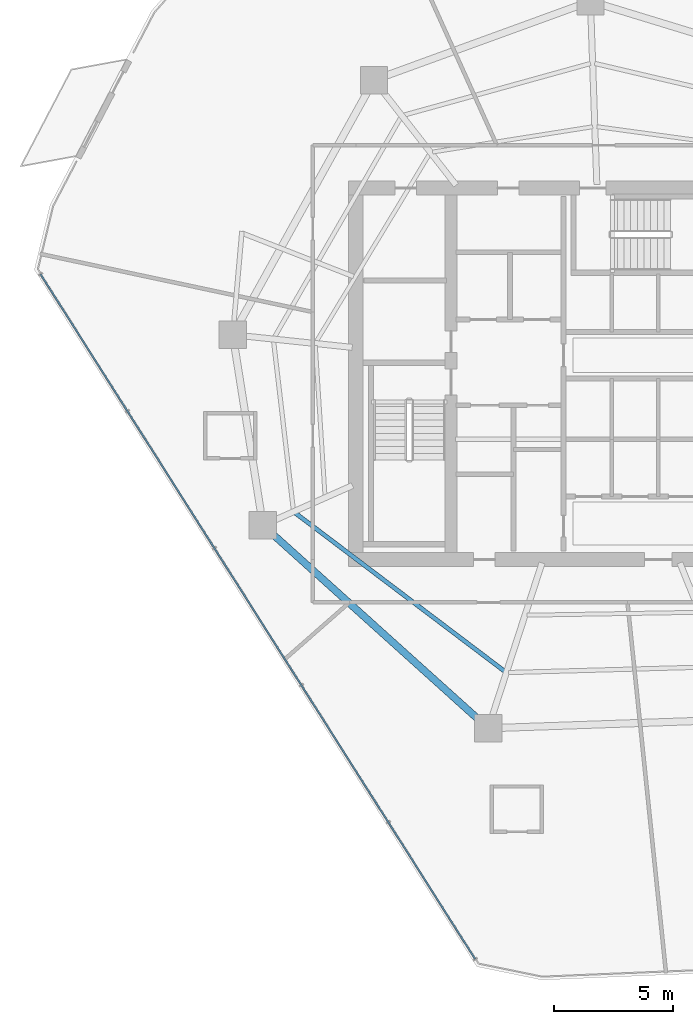
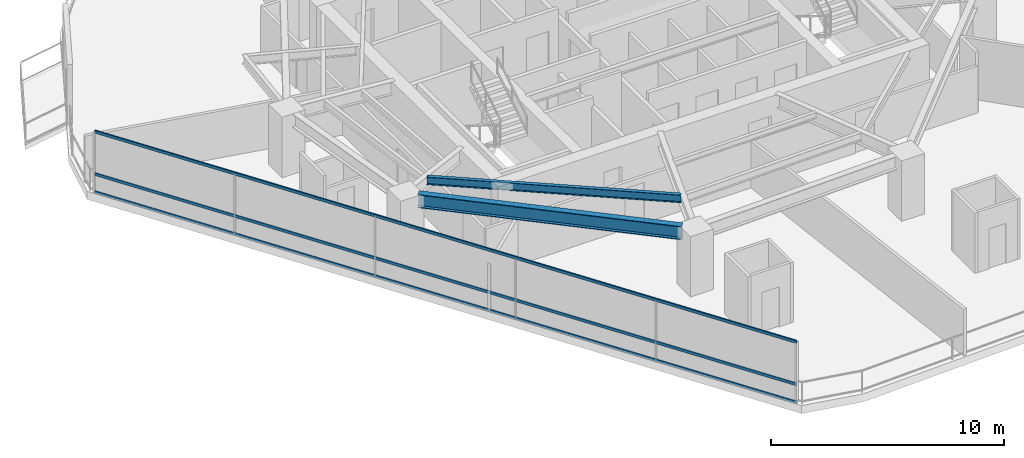
# One storey, part 3 of 25: 3 members, 2 beams, 1 element without a shape of its own.
"""IFC4 building model written with IfcOpenShell, lengths in metres."""

import ifcopenshell
import ifcopenshell.guid

model = None  # the IFC model being written
_history = None  # IfcOwnerHistory: only IFC2X3 demands one
_inside = {}  # id of a spatial element -> (the spatial element, [elements in it])
_under = {}  # id of a project, library or spatial element -> (it, [spatial elements below it])
_declared = {}  # id of a project -> (the project, [libraries it declares])
_typed = {}  # id of a type object -> (the type object, [elements of that type])
_made_of = {}  # id of a material, layer set ... -> (it, [elements and type objects made of it])


def new_model(schema):
    """Start an empty IFC model of exactly this schema.

    Asked for "IFC4X3", IfcOpenShell would pick the latest addendum, in which some entities
    have other attributes; the version numbers below select the first issue.
    IFC2X3 requires an IfcOwnerHistory on every rooted entity: one is made here for all.
    """
    global model, _history
    if schema == "IFC4X3":
        model = ifcopenshell.file(schema_version=(4, 3, 0, 0))
    else:
        model = ifcopenshell.file(schema=schema)
    _inside.clear()
    _under.clear()
    _declared.clear()
    _typed.clear()
    _made_of.clear()
    _history = None
    if model.schema == "IFC2X3":
        org = make("IfcOrganization", Name="unknown")
        user = make(
            "IfcPersonAndOrganization",
            ThePerson=make("IfcPerson", FamilyName="unknown"),
            TheOrganization=org,
        )
        app = make(
            "IfcApplication",
            ApplicationDeveloper=org,
            Version="unknown",
            ApplicationFullName="unknown",
            ApplicationIdentifier="unknown",
        )
        _history = make(
            "IfcOwnerHistory",
            OwningUser=user,
            OwningApplication=app,
            ChangeAction="ADDED",
            CreationDate=0,
        )
    return model


def make(cls, **values):
    """One entity of the class cls with the attributes given. An attribute that is None is left unset."""
    return model.create_entity(
        cls, **{name: value for name, value in values.items() if value is not None}
    )


def rooted(cls, **values):
    """An entity with a GlobalId (a new one), such as an element, a storey or a relation."""
    return make(cls, GlobalId=ifcopenshell.guid.new(), OwnerHistory=_history, **values)


def si_unit(unit_type, name, prefix=None):
    """IfcSIUnit, for example si_unit("LENGTHUNIT", "METRE", prefix="MILLI")."""
    return make("IfcSIUnit", UnitType=unit_type, Prefix=prefix, Name=name)


def assignment(units):
    """IfcUnitAssignment: the units of a project."""
    return None if units is None else make("IfcUnitAssignment", Units=units)


def point(xyz):
    """IfcCartesianPoint."""
    return None if xyz is None else make("IfcCartesianPoint", Coordinates=xyz)


def direction(xyz):
    """IfcDirection."""
    return None if xyz is None else make("IfcDirection", DirectionRatios=xyz)


def frame(location, z_axis=None, x_axis=None):
    """IfcAxis2Placement3D, a coordinate frame: its origin and axes. An axis left out is left unset."""
    return make(
        "IfcAxis2Placement3D",
        Location=point(location),
        Axis=direction(z_axis),
        RefDirection=direction(x_axis),
    )


def frame_2d(location, x_axis=None):
    """IfcAxis2Placement2D, a coordinate frame in the plane: its origin and x axis."""
    return make(
        "IfcAxis2Placement2D", Location=point(location), RefDirection=direction(x_axis)
    )


def origin():
    """The frame at (0, 0, 0) with its axes left unset."""
    return frame((0.0, 0.0, 0.0))


def origin_2d():
    """The frame at (0, 0) in the plane with its x axis left unset."""
    return frame_2d((0.0, 0.0))


def place(relative_to, where):
    """IfcLocalPlacement: puts the frame where relative to a parent placement (None: the world)."""
    return make(
        "IfcLocalPlacement", PlacementRelTo=relative_to, RelativePlacement=where
    )


def context(
    kind, dimensions, precision=None, world=None, true_north=None, identifier=None
):
    """IfcGeometricRepresentationContext, for example the 3D "Model" context."""
    return make(
        "IfcGeometricRepresentationContext",
        ContextIdentifier=identifier,
        ContextType=kind,
        CoordinateSpaceDimension=dimensions,
        Precision=precision,
        WorldCoordinateSystem=world,
        TrueNorth=true_north,
    )


def subcontext(parent, identifier, kind, view, scale=None):
    """IfcGeometricRepresentationSubContext, for example "Body" below "Model"."""
    return make(
        "IfcGeometricRepresentationSubContext",
        ContextIdentifier=identifier,
        ContextType=kind,
        ParentContext=parent,
        TargetScale=scale,
        TargetView=view,
    )


def project(units=None, contexts=None):
    """IfcProject with its units and contexts."""
    return rooted(
        "IfcProject",
        Name="project",
        RepresentationContexts=contexts,
        UnitsInContext=assignment(units),
    )


def spatial(cls, under=None, at=None, **own):
    """A site, building, storey or space (cls), placed at a placement, below another one or the project."""
    s = rooted(cls, ObjectPlacement=at, **own)
    if under is not None:
        _under.setdefault(under.id(), (under, []))[1].append(s)
    return s


def profile(cls, at=None, kind="AREA", **sizes):
    """A parametric profile (cls). Its sizes go by their IFC names, for example OverallWidth=200.0."""
    return make(cls, ProfileType=kind, Position=at, **sizes)


def hollow_rectangle(**sizes):
    """IfcRectangleHollowProfileDef."""
    return profile("IfcRectangleHollowProfileDef", **sizes)


def i_section(**sizes):
    """IfcIShapeProfileDef."""
    return profile("IfcIShapeProfileDef", **sizes)


def extrude(swept, where, along, depth):
    """IfcExtrudedAreaSolid: the profile swept, set in the frame where, extruded along a direction by depth."""
    return make(
        "IfcExtrudedAreaSolid",
        SweptArea=swept,
        Position=where,
        ExtrudedDirection=direction(along),
        Depth=depth,
    )


def shape(context_of_items, identifier, shape_type, items):
    """IfcShapeRepresentation: the items that make up one representation, for example the "Body"."""
    return make(
        "IfcShapeRepresentation",
        ContextOfItems=context_of_items,
        RepresentationIdentifier=identifier,
        RepresentationType=shape_type,
        Items=items,
    )


def material(Name=None, Category=None):
    """IfcMaterial."""
    return make("IfcMaterial", Name=Name, Category=Category)


def layer(
    of_material, thickness, ventilated=None, Name=None, Category=None, Priority=None
):
    """IfcMaterialLayer: one layer of a wall or slab, of a material (None: an air gap)."""
    return make(
        "IfcMaterialLayer",
        Material=of_material,
        LayerThickness=thickness,
        IsVentilated=ventilated,
        Name=Name,
        Category=Category,
        Priority=Priority,
    )


def layer_set(layers, Name=None):
    """IfcMaterialLayerSet."""
    return make("IfcMaterialLayerSet", MaterialLayers=layers, LayerSetName=Name)


def material_profile(
    of_material, cross_section, Name=None, Category=None, Priority=None
):
    """IfcMaterialProfile: a cross section and its material."""
    return make(
        "IfcMaterialProfile",
        Name=Name,
        Material=of_material,
        Profile=cross_section,
        Priority=Priority,
        Category=Category,
    )


def profile_set(profiles, Name=None, composite=None):
    """IfcMaterialProfileSet."""
    return make(
        "IfcMaterialProfileSet",
        Name=Name,
        MaterialProfiles=profiles,
        CompositeProfile=composite,
    )


def made_of(thing, what):
    """Note that an element or type object is made of a material, layer set ...; save() writes the relation."""
    if what is not None:
        _made_of.setdefault(what.id(), (what, []))[1].append(thing)
    return thing


def type_object(cls, material=None, **own):
    """A type object (cls), such as IfcWallType, which elements share."""
    return made_of(rooted(cls, **own), material)


def element(
    cls,
    number,
    at=None,
    inside=None,
    cuts=None,
    type_object=None,
    material=None,
    context=None,
    identifier="Body",
    shape_type=None,
    held_by="IfcProductDefinitionShape",
    body=None,
    shapes=None,
    **own,
):
    """One element of the class cls, such as IfcWall. Its Tag is "e" and its number.

    at: its placement. inside: the storey or other place that contains it. cuts: it is an
    opening in that element (IfcRelVoidsElement). A single representation is given by context,
    identifier, shape_type and body (its items); several are given by shapes. held_by: the class
    of the entity that holds the representations. save() writes the other relations.
    """
    e = rooted(cls, Tag="e%d" % number, ObjectPlacement=at, **own)
    if body is not None:
        shapes = [shape(context, identifier, shape_type, body)]
    if shapes is not None:
        e.Representation = make(held_by, Representations=shapes)
    if inside is not None:
        _inside.setdefault(inside.id(), (inside, []))[1].append(e)
    if cuts is not None:
        rooted(
            "IfcRelVoidsElement", RelatingBuildingElement=cuts, RelatedOpeningElement=e
        )
    if type_object is not None:
        _typed.setdefault(type_object.id(), (type_object, []))[1].append(e)
    return made_of(e, material)


def aggregate(whole, parts):
    """IfcRelAggregates: a whole, such as a stair, and the parts it consists of."""
    return rooted("IfcRelAggregates", RelatingObject=whole, RelatedObjects=parts)


def save(model, path):
    """Write the relations noted so far, then the file.

    IfcRelAggregates (storeys below a building ...), IfcRelContainedInSpatialStructure (elements
    in a storey), IfcRelDefinesByType, IfcRelAssociatesMaterial and IfcRelDeclares: one each for
    every whole, place, type object, material and project.
    """
    for whole, parts in _under.values():
        aggregate(whole, parts)
    for where, things in _inside.values():
        rooted(
            "IfcRelContainedInSpatialStructure",
            RelatedElements=things,
            RelatingStructure=where,
        )
    for kind, things in _typed.values():
        rooted("IfcRelDefinesByType", RelatedObjects=things, RelatingType=kind)
    for what, things in _made_of.values():
        rooted("IfcRelAssociatesMaterial", RelatedObjects=things, RelatingMaterial=what)
    for by, libraries in _declared.values():
        rooted("IfcRelDeclares", RelatingContext=by, RelatedDefinitions=libraries)
    model.write(path)


model = new_model("IFC4")

# Units and contexts
model_context = context("Model", 3, precision=1e-05, world=origin(), true_north=direction((0.0, 1.0)))
body_context = subcontext(model_context, "Body", "Model", "MODEL_VIEW")
ifc_project = project(units=[si_unit("LENGTHUNIT", "METRE"), si_unit("AREAUNIT", "SQUARE_METRE"), si_unit("VOLUMEUNIT", "CUBIC_METRE"), si_unit("PLANEANGLEUNIT", "RADIAN"), si_unit("MASSUNIT", "GRAM", prefix="KILO")], contexts=[model_context])

# Site, building, storey
site_placement = place(None, origin())
site = spatial("IfcSite", under=ifc_project, at=site_placement, CompositionType="ELEMENT")
building_placement = place(site_placement, origin())
building = spatial("IfcBuilding", under=site, at=building_placement, Name="Qarnah Convention Tower", CompositionType="ELEMENT")
storey_placement = place(building_placement, frame((0.0, 0.0, 76.35009765625)))
storey = spatial("IfcBuildingStorey", under=building, at=storey_placement, Name="L19", CompositionType="ELEMENT", Elevation=76.35009765625)

# Beams
ifc_material_1 = material(Name="Structural steel S355JR", Category="steel")
ifc_material_profile_1 = material_profile(ifc_material_1, i_section(OverallWidth=0.177978515625, OverallDepth=0.407958984375, WebThickness=0.008056640625, FlangeThickness=0.012939453125, at=origin_2d()), Name="W410X60")
ifc_profile_set_1 = profile_set([ifc_material_profile_1], Name="Structural steel S355JR")
beam_type_1 = type_object("IfcBeamType", Name="BM-JST-W410", PredefinedType="JOIST", material=ifc_profile_set_1)
beam_1_placement = place(storey_placement, frame((24.260986328125, 20.553955078125, 2.9658203125), z_axis=(0.797697280495, -0.603058080694, 0.0), x_axis=(0.603058080694, 0.797697280495, 0.0)))
element("IfcBeam", 1, at=beam_1_placement, inside=storey, type_object=beam_type_1, Name="L19 joist BM-L19-SJST-06", PredefinedType="JOIST", context=body_context, shape_type="SweptSolid", body=[
    extrude(i_section(OverallWidth=0.177978515625, OverallDepth=0.407958984375, WebThickness=0.008056640625, FlangeThickness=0.012939453125, at=origin_2d()), origin(), (0.0, 0.0, 1.0), 11.0205078125),
])
ifc_material_profile_2 = material_profile(ifc_material_1, i_section(OverallWidth=0.300048828125, OverallDepth=0.699951171875, WebThickness=0.01708984375, FlangeThickness=0.031982421875, at=origin_2d()), Name="HEB700")
ifc_profile_set_2 = profile_set([ifc_material_profile_2], Name="Structural steel S355JR")
beam_type_2 = type_object("IfcBeamType", Name="BM-RING-HEB700", PredefinedType="BEAM", material=ifc_profile_set_2)
beam_2_placement = place(storey_placement, frame((23.322998046875, 19.656982421875, 2.81982421875), z_axis=(0.743124603424, -0.669153064541, 0.0), x_axis=(0.669153064541, 0.743124603424, 0.0)))
element("IfcBeam", 2, at=beam_2_placement, inside=storey, type_object=beam_type_2, Name="L19 beam BM-L19-SPN-06", PredefinedType="BEAM", context=body_context, shape_type="SweptSolid", body=[
    extrude(i_section(OverallWidth=0.300048828125, OverallDepth=0.699951171875, WebThickness=0.01708984375, FlangeThickness=0.031982421875, at=origin_2d()), origin(), (0.0, 0.0, 1.0), 11.60107421875),
])

# Curtain wall, members
ifc_material_2 = material(Name="Tempered Low-E dark glass", Category="glass")
ifc_layer = layer(ifc_material_2, 0.169921875)
ifc_layer_set = layer_set([ifc_layer], Name="Tempered Low-E dark glass")
curtain_wall_type = type_object("IfcCurtainWallType", Name="CWS-02", PredefinedType="NOTDEFINED", material=ifc_layer_set)
curtain_wall_placement = place(storey_placement, origin())
curtain_wall = element("IfcCurtainWall", 3, at=curtain_wall_placement, inside=storey, type_object=curtain_wall_type, Name="L19 unitised curtain wall CW-L19-F3", PredefinedType="NOTDEFINED")
ifc_material_3 = material(Name="Black anodised aluminium", Category="aluminium")
ifc_material_profile_3 = material_profile(ifc_material_3, hollow_rectangle(XDim=0.06494140625, YDim=0.14990234375, WallThickness=0.00390625, at=origin_2d()), Name="TRN-65X150")
ifc_profile_set_3 = profile_set([ifc_material_profile_3], Name="Black anodised aluminium")
member_type = type_object("IfcMemberType", Name="TRN-T2", PredefinedType="USERDEFINED", material=ifc_profile_set_3)
member_1_placement = place(storey_placement, frame((31.81591796875, 1.826904296875, 0.0), z_axis=(-0.535843995998, 0.844317009158, 0.0), x_axis=(-0.844317009158, -0.535843995998, 0.0)))
member_1 = element("IfcMember", 4, at=member_1_placement, type_object=member_type, Name="CW-L19-F3 transom 1", ObjectType="TRANSOM", PredefinedType="USERDEFINED", context=body_context, shape_type="SweptSolid", body=[
    extrude(hollow_rectangle(XDim=0.06494140625, YDim=0.14990234375, WallThickness=0.00390625, at=origin_2d()), origin(), (0.0, 0.0, 1.0), 34.058349609375),
])
member_2_placement = place(storey_placement, frame((31.81591796875, 1.826904296875, 0.949951171875), z_axis=(-0.535843995998, 0.844317009158, 0.0), x_axis=(-0.844317009158, -0.535843995998, 0.0)))
member_2 = element("IfcMember", 5, at=member_2_placement, type_object=member_type, Name="CW-L19-F3 transom 2", ObjectType="TRANSOM", PredefinedType="USERDEFINED", context=body_context, shape_type="SweptSolid", body=[
    extrude(hollow_rectangle(XDim=0.06494140625, YDim=0.14990234375, WallThickness=0.00390625, at=origin_2d()), origin(), (0.0, 0.0, 1.0), 34.058349609375),
])
member_3_placement = place(storey_placement, frame((31.81591796875, 1.826904296875, 3.169921875), z_axis=(-0.535843995998, 0.844317009158, 0.0), x_axis=(-0.844317009158, -0.535843995998, 0.0)))
member_3 = element("IfcMember", 6, at=member_3_placement, type_object=member_type, Name="CW-L19-F3 transom 3", ObjectType="TRANSOM", PredefinedType="USERDEFINED", context=body_context, shape_type="SweptSolid", body=[
    extrude(hollow_rectangle(XDim=0.06494140625, YDim=0.14990234375, WallThickness=0.00390625, at=origin_2d()), origin(), (0.0, 0.0, 1.0), 34.058349609375),
])
aggregate(curtain_wall, [member_1, member_2, member_3])

save(model, "model.ifc")
